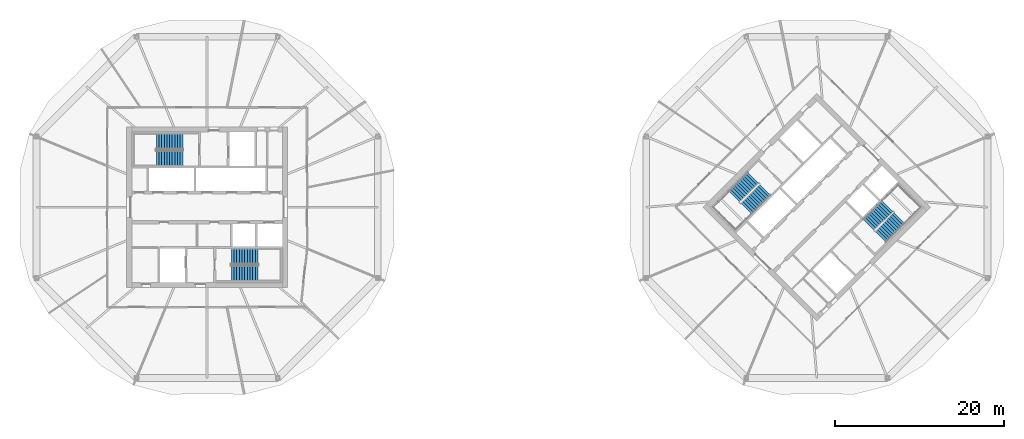
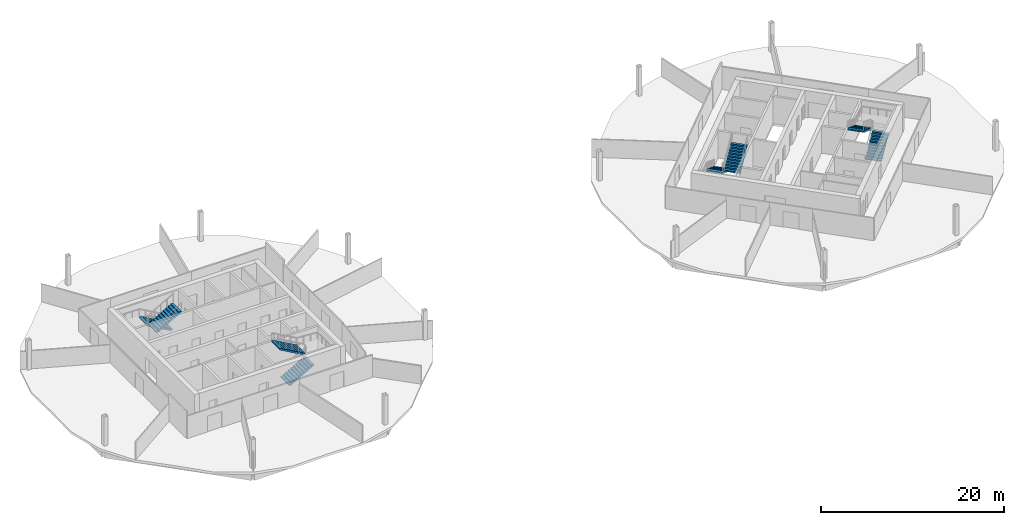
# One storey, part 9 of 10: 8 stair flights, 4 elements without a shape of their own.
"""IFC4 building model written with IfcOpenShell, lengths in metres."""

from ifc_helpers import new_model, si_unit, direction, frame, origin, place, context, subcontext, project, spatial, polyline, outline, extrude, material, type_object, element, aggregate, save


model = new_model("IFC4")

# Units and contexts
model_context = context("Model", 3, precision=1e-05, world=origin(), true_north=direction((0.0, 1.0)))
body_context = subcontext(model_context, "Body", "Model", "MODEL_VIEW")
ifc_project = project(units=[si_unit("LENGTHUNIT", "METRE"), si_unit("AREAUNIT", "SQUARE_METRE"), si_unit("VOLUMEUNIT", "CUBIC_METRE"), si_unit("PLANEANGLEUNIT", "RADIAN"), si_unit("MASSUNIT", "GRAM", prefix="KILO")], contexts=[model_context])

# Site, building, storey
site_placement = place(None, origin())
site = spatial("IfcSite", under=ifc_project, at=site_placement, CompositionType="ELEMENT")
building_placement = place(site_placement, origin())
building = spatial("IfcBuilding", under=site, at=building_placement, Name="Ogive Gate Towers", CompositionType="ELEMENT")
storey_placement = place(building_placement, frame((0.0, 0.0, 169.5)))
storey = spatial("IfcBuildingStorey", under=building, at=storey_placement, Name="L40", CompositionType="ELEMENT", Elevation=169.5)

# Stair, stair flights
ifc_material = material(Name="Concrete C40/50", Category="concrete")
stair_type = type_object("IfcStairType", Name="Escape stair 1840 wide", PredefinedType="HALF_TURN_STAIR", material=ifc_material)
stair_1_placement = place(storey_placement, origin())
stair_1 = element("IfcStair", 1, at=stair_1_placement, inside=storey, type_object=stair_type, Name="L40 Escape stair 1", PredefinedType="HALF_TURN_STAIR")
stair_flight_type = type_object("IfcStairFlightType", Name="Stair flight 1840 wide", PredefinedType="STRAIGHT", material=ifc_material)
stair_flight_1_placement = place(storey_placement, frame((-38.864990234375, 7.780029296875, 0.0), z_axis=(0.0, 0.0, 1.0), x_axis=(-1.0, 0.0, 0.0)))
stair_flight_1 = element("IfcStairFlight", 2, at=stair_flight_1_placement, type_object=stair_flight_type, Name="ST1 flight 1", NumberOfRisers=11, NumberOfTreads=10, PredefinedType="STRAIGHT", RiserHeight=0.177272727, TreadLength=0.313636364, context=body_context, shape_type="SweptSolid", body=[
    extrude(outline(polyline([(0.0, 0.0), (0.0, 0.17724609375), (0.313720703125, 0.17724609375), (0.313720703125, 0.3544921875), (0.627197265625, 0.3544921875), (0.627197265625, 0.53173828125), (0.94091796875, 0.53173828125), (0.94091796875, 0.708984375), (1.254638671875, 0.708984375), (1.254638671875, 0.886474609375), (1.568115234375, 0.886474609375), (1.568115234375, 1.063720703125), (1.8818359375, 1.063720703125), (1.8818359375, 1.240966796875), (2.195556640625, 1.240966796875), (2.195556640625, 1.418212890625), (2.509033203125, 1.418212890625), (2.509033203125, 1.595458984375), (2.82275390625, 1.595458984375), (2.82275390625, 1.772705078125), (3.136474609375, 1.772705078125), (3.136474609375, 1.949951171875), (3.136474609375, 1.6005859375), (0.3046875, 0.0), (0.0, 0.0)])), frame((0.0, 0.919921875, 0.0), z_axis=(0.0, -1.0, 0.0), x_axis=(1.0, 0.0, 0.0)), (0.0, 0.0, 1.0), 1.840087890625),
])
stair_flight_2_placement = place(storey_placement, frame((-42.00146484375, 5.794921875, 1.949951171875), z_axis=(0.0, 0.0, 1.0), x_axis=(1.0, 0.0, 0.0)))
stair_flight_2 = element("IfcStairFlight", 3, at=stair_flight_2_placement, type_object=stair_flight_type, Name="ST1 flight 2", NumberOfRisers=11, NumberOfTreads=10, PredefinedType="STRAIGHT", RiserHeight=0.177272727, TreadLength=0.313636364, context=body_context, shape_type="SweptSolid", body=[
    extrude(outline(polyline([(0.0, 0.0), (0.0, 0.17724609375), (0.313720703125, 0.17724609375), (0.313720703125, 0.3544921875), (0.627197265625, 0.3544921875), (0.627197265625, 0.53173828125), (0.94091796875, 0.53173828125), (0.94091796875, 0.708984375), (1.254638671875, 0.708984375), (1.254638671875, 0.886474609375), (1.568115234375, 0.886474609375), (1.568115234375, 1.063720703125), (1.8818359375, 1.063720703125), (1.8818359375, 1.240966796875), (2.195556640625, 1.240966796875), (2.195556640625, 1.418212890625), (2.509033203125, 1.418212890625), (2.509033203125, 1.595458984375), (2.82275390625, 1.595458984375), (2.82275390625, 1.772705078125), (3.136474609375, 1.772705078125), (3.136474609375, 1.949951171875), (3.136474609375, 1.6005859375), (0.3046875, 0.0), (0.0, 0.0)])), frame((0.0, 0.919921875, 0.0), z_axis=(0.0, -1.0, 0.0), x_axis=(1.0, 0.0, 0.0)), (0.0, 0.0, 1.0), 1.840087890625),
])
aggregate(stair_1, [stair_flight_1, stair_flight_2])

stair_2_placement = place(storey_placement, origin())
stair_2 = element("IfcStair", 4, at=stair_2_placement, inside=storey, type_object=stair_type, Name="L40 Escape stair 2", PredefinedType="HALF_TURN_STAIR")
stair_flight_3_placement = place(storey_placement, frame((-33.135009765625, -7.780029296875, 0.0), z_axis=(0.0, 0.0, 1.0), x_axis=(1.0, 0.0, 0.0)))
stair_flight_3 = element("IfcStairFlight", 5, at=stair_flight_3_placement, type_object=stair_flight_type, Name="ST2 flight 1", NumberOfRisers=11, NumberOfTreads=10, PredefinedType="STRAIGHT", RiserHeight=0.177272727, TreadLength=0.313636364, context=body_context, shape_type="SweptSolid", body=[
    extrude(outline(polyline([(0.0, 0.0), (0.0, 0.17724609375), (0.313720703125, 0.17724609375), (0.313720703125, 0.3544921875), (0.627197265625, 0.3544921875), (0.627197265625, 0.53173828125), (0.94091796875, 0.53173828125), (0.94091796875, 0.708984375), (1.254638671875, 0.708984375), (1.254638671875, 0.886474609375), (1.568115234375, 0.886474609375), (1.568115234375, 1.063720703125), (1.8818359375, 1.063720703125), (1.8818359375, 1.240966796875), (2.195556640625, 1.240966796875), (2.195556640625, 1.418212890625), (2.509033203125, 1.418212890625), (2.509033203125, 1.595458984375), (2.82275390625, 1.595458984375), (2.82275390625, 1.772705078125), (3.136474609375, 1.772705078125), (3.136474609375, 1.949951171875), (3.136474609375, 1.6005859375), (0.3046875, 0.0), (0.0, 0.0)])), frame((0.0, 0.919921875, 0.0), z_axis=(0.0, -1.0, 0.0), x_axis=(1.0, 0.0, 0.0)), (0.0, 0.0, 1.0), 1.840087890625),
])
stair_flight_4_placement = place(storey_placement, frame((-29.99853515625, -5.794921875, 1.949951171875), z_axis=(0.0, 0.0, 1.0), x_axis=(-1.0, 0.0, 0.0)))
stair_flight_4 = element("IfcStairFlight", 6, at=stair_flight_4_placement, type_object=stair_flight_type, Name="ST2 flight 2", NumberOfRisers=11, NumberOfTreads=10, PredefinedType="STRAIGHT", RiserHeight=0.177272727, TreadLength=0.313636364, context=body_context, shape_type="SweptSolid", body=[
    extrude(outline(polyline([(0.0, 0.0), (0.0, 0.17724609375), (0.313720703125, 0.17724609375), (0.313720703125, 0.3544921875), (0.627197265625, 0.3544921875), (0.627197265625, 0.53173828125), (0.94091796875, 0.53173828125), (0.94091796875, 0.708984375), (1.254638671875, 0.708984375), (1.254638671875, 0.886474609375), (1.568115234375, 0.886474609375), (1.568115234375, 1.063720703125), (1.8818359375, 1.063720703125), (1.8818359375, 1.240966796875), (2.195556640625, 1.240966796875), (2.195556640625, 1.418212890625), (2.509033203125, 1.418212890625), (2.509033203125, 1.595458984375), (2.82275390625, 1.595458984375), (2.82275390625, 1.772705078125), (3.136474609375, 1.772705078125), (3.136474609375, 1.949951171875), (3.136474609375, 1.6005859375), (0.3046875, 0.0), (0.0, 0.0)])), frame((0.0, 0.919921875, 0.0), z_axis=(0.0, -1.0, 0.0), x_axis=(1.0, 0.0, 0.0)), (0.0, 0.0, 1.0), 1.840087890625),
])
aggregate(stair_2, [stair_flight_3, stair_flight_4])

stair_3_placement = place(storey_placement, origin())
stair_3 = element("IfcStair", 7, at=stair_3_placement, inside=storey, type_object=stair_type, Name="L40 Escape stair 1", PredefinedType="HALF_TURN_STAIR")
stair_flight_5_placement = place(storey_placement, frame((28.472900390625, 3.475341796875, 0.0), z_axis=(0.0, 0.0, 1.0), x_axis=(-0.707106781187, -0.707106781187, 0.0)))
stair_flight_5 = element("IfcStairFlight", 8, at=stair_flight_5_placement, type_object=stair_flight_type, Name="ST1 flight 1", NumberOfRisers=11, NumberOfTreads=10, PredefinedType="STRAIGHT", RiserHeight=0.177272727, TreadLength=0.313636364, context=body_context, shape_type="SweptSolid", body=[
    extrude(outline(polyline([(0.0, 0.0), (0.0, 0.17724609375), (0.313720703125, 0.17724609375), (0.313720703125, 0.3544921875), (0.627197265625, 0.3544921875), (0.627197265625, 0.53173828125), (0.94091796875, 0.53173828125), (0.94091796875, 0.708984375), (1.254638671875, 0.708984375), (1.254638671875, 0.886474609375), (1.568115234375, 0.886474609375), (1.568115234375, 1.063720703125), (1.8818359375, 1.063720703125), (1.8818359375, 1.240966796875), (2.195556640625, 1.240966796875), (2.195556640625, 1.418212890625), (2.509033203125, 1.418212890625), (2.509033203125, 1.595458984375), (2.82275390625, 1.595458984375), (2.82275390625, 1.772705078125), (3.136474609375, 1.772705078125), (3.136474609375, 1.949951171875), (3.136474609375, 1.6005859375), (0.3046875, 0.0), (0.0, 0.0)])), frame((0.0, 0.919921875, 0.0), z_axis=(0.0, -1.0, 0.0), x_axis=(1.0, 0.0, 0.0)), (0.0, 0.0, 1.0), 1.840087890625),
])
stair_flight_6_placement = place(storey_placement, frame((27.65869140625, -0.14599609375, 1.949951171875), z_axis=(0.0, 0.0, 1.0), x_axis=(0.707106781187, 0.707106781187, 0.0)))
stair_flight_6 = element("IfcStairFlight", 9, at=stair_flight_6_placement, type_object=stair_flight_type, Name="ST1 flight 2", NumberOfRisers=11, NumberOfTreads=10, PredefinedType="STRAIGHT", RiserHeight=0.177272727, TreadLength=0.313636364, context=body_context, shape_type="SweptSolid", body=[
    extrude(outline(polyline([(0.0, 0.0), (0.0, 0.17724609375), (0.313720703125, 0.17724609375), (0.313720703125, 0.3544921875), (0.627197265625, 0.3544921875), (0.627197265625, 0.53173828125), (0.94091796875, 0.53173828125), (0.94091796875, 0.708984375), (1.254638671875, 0.708984375), (1.254638671875, 0.886474609375), (1.568115234375, 0.886474609375), (1.568115234375, 1.063720703125), (1.8818359375, 1.063720703125), (1.8818359375, 1.240966796875), (2.195556640625, 1.240966796875), (2.195556640625, 1.418212890625), (2.509033203125, 1.418212890625), (2.509033203125, 1.595458984375), (2.82275390625, 1.595458984375), (2.82275390625, 1.772705078125), (3.136474609375, 1.772705078125), (3.136474609375, 1.949951171875), (3.136474609375, 1.6005859375), (0.3046875, 0.0), (0.0, 0.0)])), frame((0.0, 0.919921875, 0.0), z_axis=(0.0, -1.0, 0.0), x_axis=(1.0, 0.0, 0.0)), (0.0, 0.0, 1.0), 1.840087890625),
])
aggregate(stair_3, [stair_flight_5, stair_flight_6])

stair_4_placement = place(storey_placement, origin())
stair_4 = element("IfcStair", 10, at=stair_4_placement, inside=storey, type_object=stair_type, Name="L40 Escape stair 2", PredefinedType="HALF_TURN_STAIR")
stair_flight_7_placement = place(storey_placement, frame((43.527099609375, -3.475341796875, 0.0), z_axis=(0.0, 0.0, 1.0), x_axis=(0.707106781187, 0.707106781187, 0.0)))
stair_flight_7 = element("IfcStairFlight", 11, at=stair_flight_7_placement, type_object=stair_flight_type, Name="ST2 flight 1", NumberOfRisers=11, NumberOfTreads=10, PredefinedType="STRAIGHT", RiserHeight=0.177272727, TreadLength=0.313636364, context=body_context, shape_type="SweptSolid", body=[
    extrude(outline(polyline([(0.0, 0.0), (0.0, 0.17724609375), (0.313720703125, 0.17724609375), (0.313720703125, 0.3544921875), (0.627197265625, 0.3544921875), (0.627197265625, 0.53173828125), (0.94091796875, 0.53173828125), (0.94091796875, 0.708984375), (1.254638671875, 0.708984375), (1.254638671875, 0.886474609375), (1.568115234375, 0.886474609375), (1.568115234375, 1.063720703125), (1.8818359375, 1.063720703125), (1.8818359375, 1.240966796875), (2.195556640625, 1.240966796875), (2.195556640625, 1.418212890625), (2.509033203125, 1.418212890625), (2.509033203125, 1.595458984375), (2.82275390625, 1.595458984375), (2.82275390625, 1.772705078125), (3.136474609375, 1.772705078125), (3.136474609375, 1.949951171875), (3.136474609375, 1.6005859375), (0.3046875, 0.0), (0.0, 0.0)])), frame((0.0, 0.919921875, 0.0), z_axis=(0.0, -1.0, 0.0), x_axis=(1.0, 0.0, 0.0)), (0.0, 0.0, 1.0), 1.840087890625),
])
stair_flight_8_placement = place(storey_placement, frame((44.34130859375, 0.14599609375, 1.949951171875), z_axis=(0.0, 0.0, 1.0), x_axis=(-0.707106781187, -0.707106781187, 0.0)))
stair_flight_8 = element("IfcStairFlight", 12, at=stair_flight_8_placement, type_object=stair_flight_type, Name="ST2 flight 2", NumberOfRisers=11, NumberOfTreads=10, PredefinedType="STRAIGHT", RiserHeight=0.177272727, TreadLength=0.313636364, context=body_context, shape_type="SweptSolid", body=[
    extrude(outline(polyline([(0.0, 0.0), (0.0, 0.17724609375), (0.313720703125, 0.17724609375), (0.313720703125, 0.3544921875), (0.627197265625, 0.3544921875), (0.627197265625, 0.53173828125), (0.94091796875, 0.53173828125), (0.94091796875, 0.708984375), (1.254638671875, 0.708984375), (1.254638671875, 0.886474609375), (1.568115234375, 0.886474609375), (1.568115234375, 1.063720703125), (1.8818359375, 1.063720703125), (1.8818359375, 1.240966796875), (2.195556640625, 1.240966796875), (2.195556640625, 1.418212890625), (2.509033203125, 1.418212890625), (2.509033203125, 1.595458984375), (2.82275390625, 1.595458984375), (2.82275390625, 1.772705078125), (3.136474609375, 1.772705078125), (3.136474609375, 1.949951171875), (3.136474609375, 1.6005859375), (0.3046875, 0.0), (0.0, 0.0)])), frame((0.0, 0.919921875, 0.0), z_axis=(0.0, -1.0, 0.0), x_axis=(1.0, 0.0, 0.0)), (0.0, 0.0, 1.0), 1.840087890625),
])
aggregate(stair_4, [stair_flight_7, stair_flight_8])

save(model, "model.ifc")
